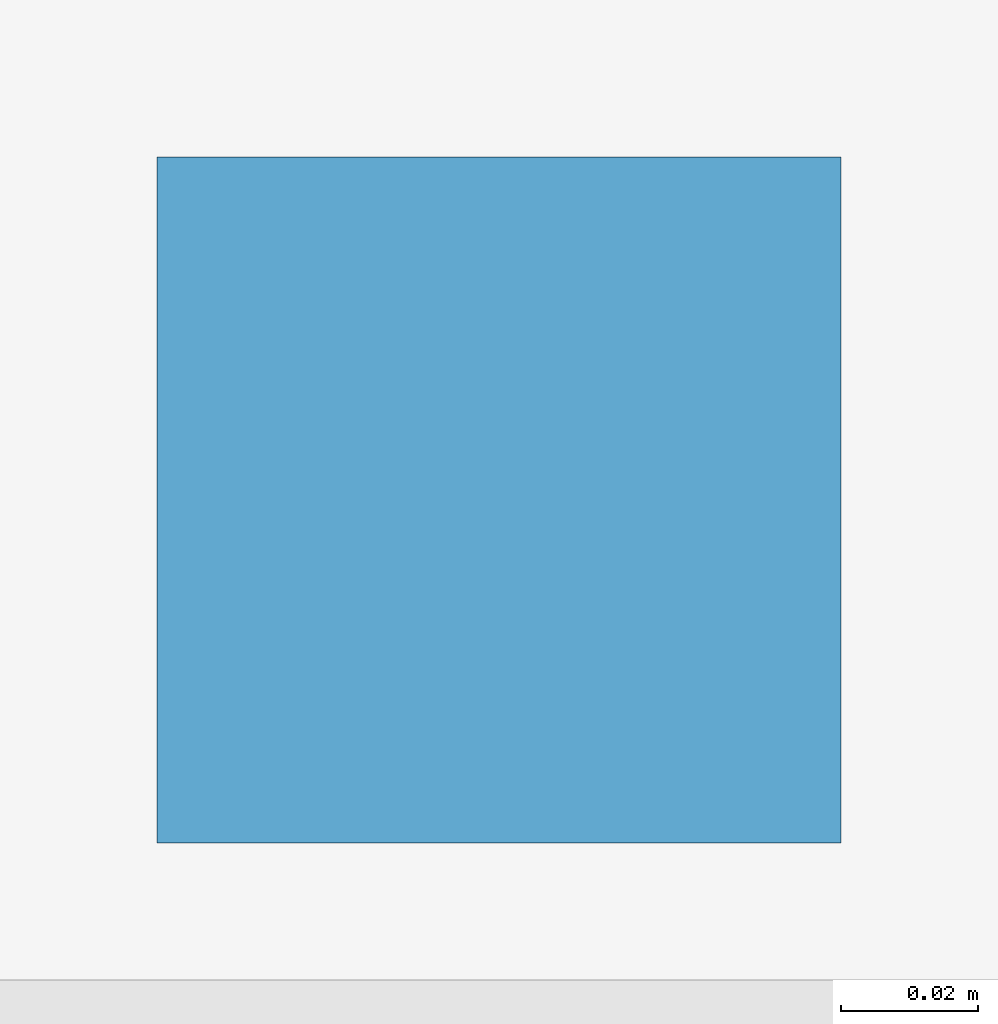
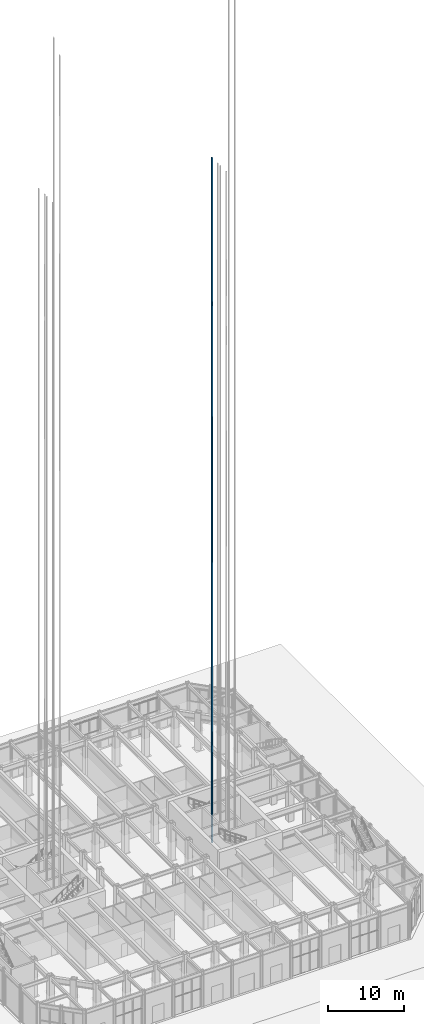
# One storey, part 35 of 39: 1 discrete accessory.
"""IFC4 building model written with IfcOpenShell, lengths in metres."""

from ifc_helpers import new_model, si_unit, direction, frame, origin, place, context, subcontext, project, spatial, polyline, outline, extrude, element, save


model = new_model("IFC4")

# Units and contexts
model_context = context("Model", 3, precision=1e-05, world=origin(), true_north=direction((0.0, 1.0)))
body_context = subcontext(model_context, "Body", "Model", "MODEL_VIEW")
ifc_project = project(units=[si_unit("LENGTHUNIT", "METRE"), si_unit("AREAUNIT", "SQUARE_METRE"), si_unit("VOLUMEUNIT", "CUBIC_METRE"), si_unit("PLANEANGLEUNIT", "RADIAN"), si_unit("MASSUNIT", "GRAM", prefix="KILO")], contexts=[model_context])

# Site, building, storey
site_placement = place(None, origin())
site = spatial("IfcSite", under=ifc_project, at=site_placement, CompositionType="ELEMENT")
building_placement = place(site_placement, origin())
building = spatial("IfcBuilding", under=site, at=building_placement, Name="Msasa Ring Tower", CompositionType="ELEMENT")
storey_placement = place(building_placement, origin())
storey = spatial("IfcBuildingStorey", under=building, at=storey_placement, Name="L00", CompositionType="ELEMENT", Elevation=0.0)

# Discrete accessory
discrete_accessory_placement = place(storey_placement, frame((0.0, 0.0, 0.050048828125)))
element("IfcDiscreteAccessory", 1, at=discrete_accessory_placement, inside=storey, Name="Lift guide rail 2 PL-R2", ObjectType="LIFT GUIDE RAIL", PredefinedType="USERDEFINED", context=body_context, shape_type="SweptSolid", body=[
    extrude(outline(polyline([(13.175048828125, 2.77001953125), (13.27490234375, 2.77001953125), (13.27490234375, 2.8701171875), (13.175048828125, 2.8701171875), (13.175048828125, 2.77001953125)])), origin(), (0.0, 0.0, 1.0), 110.550048828125),
])

save(model, "model.ifc")
